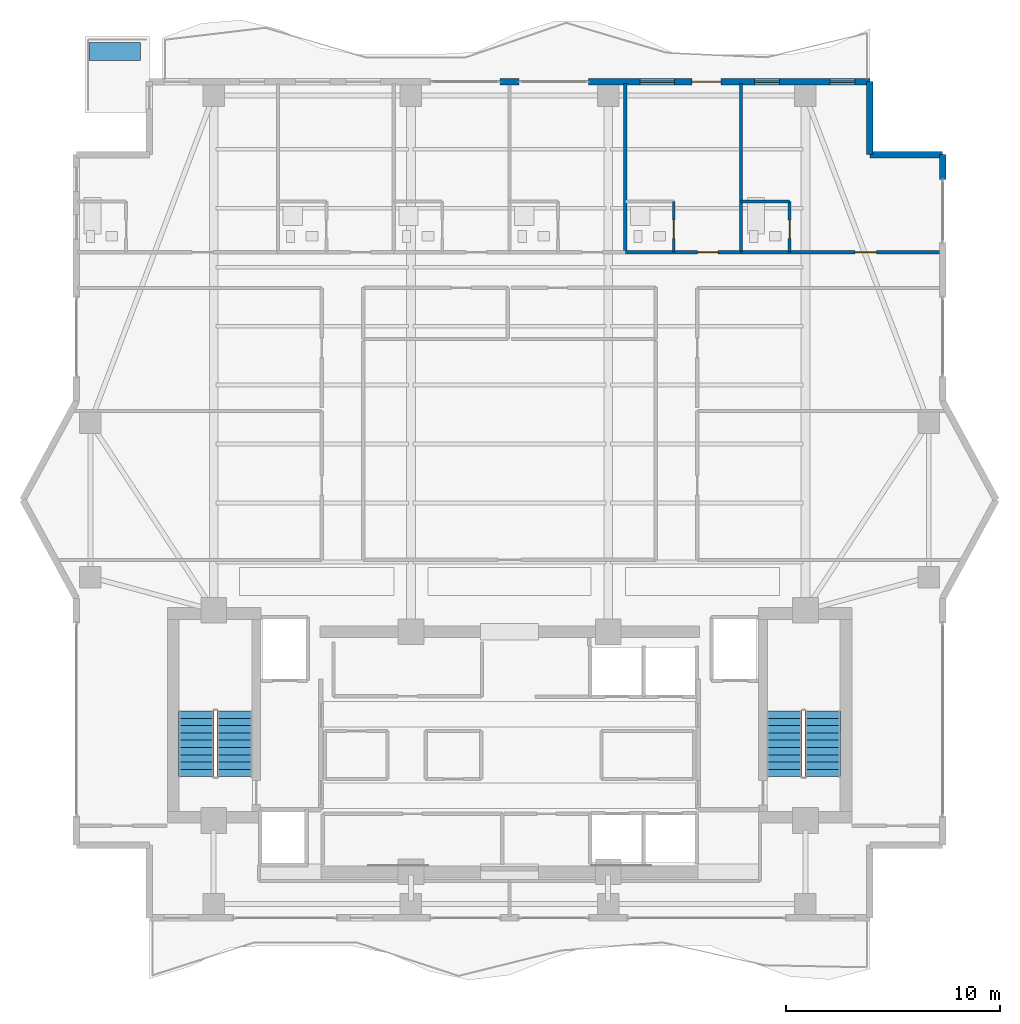
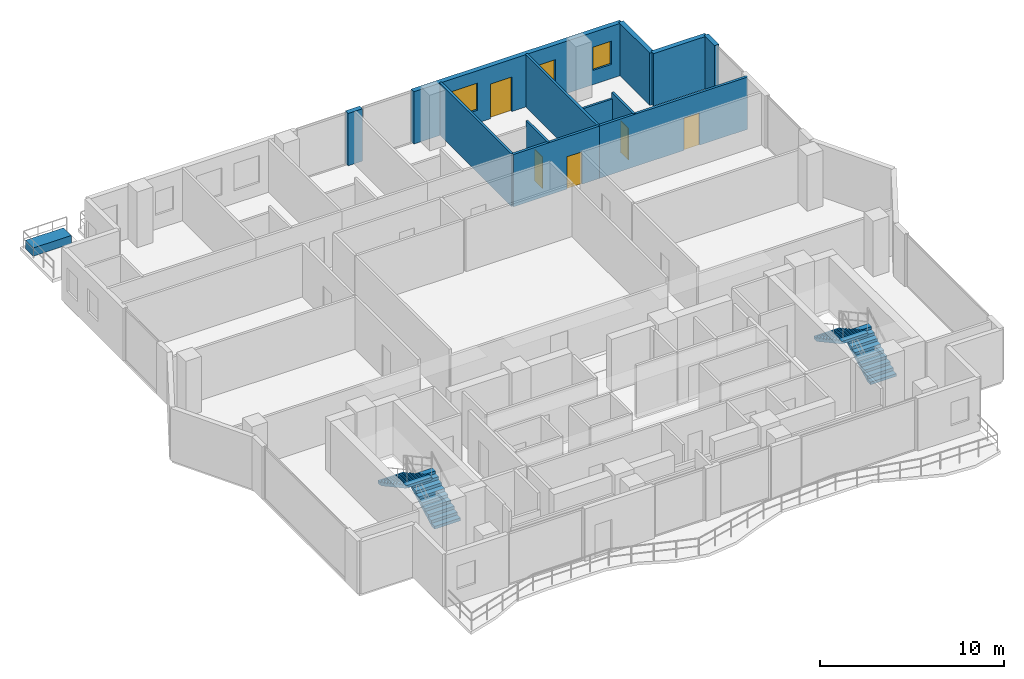
# One storey, part 20 of 23: 12 walls, 5 doors, 4 stair flights, 3 windows, 1 building element part, 8 openings, 2 elements without a shape of their own.
"""IFC4 building model written with IfcOpenShell, lengths in metres."""

from ifc_helpers import new_model, si_unit, direction, frame, frame_2d, origin, origin_2d, place, context, subcontext, project, spatial, polyline, rectangle, outline, extrude, material, layer, layer_set, type_object, element, fill, aggregate, save


model = new_model("IFC4")

# Units and contexts
model_context = context("Model", 3, precision=1e-05, world=origin(), true_north=direction((0.0, 1.0)))
body_context = subcontext(model_context, "Body", "Model", "MODEL_VIEW")
ifc_project = project(units=[si_unit("LENGTHUNIT", "METRE"), si_unit("AREAUNIT", "SQUARE_METRE"), si_unit("VOLUMEUNIT", "CUBIC_METRE"), si_unit("PLANEANGLEUNIT", "RADIAN"), si_unit("MASSUNIT", "GRAM", prefix="KILO")], contexts=[model_context])

# Site, building, storey
site_placement = place(None, origin())
site = spatial("IfcSite", under=ifc_project, at=site_placement, CompositionType="ELEMENT")
building_placement = place(site_placement, origin())
building = spatial("IfcBuilding", under=site, at=building_placement, Name="Zuhayl Quay Hotel", CompositionType="ELEMENT")
storey_placement = place(building_placement, frame((0.0, 0.0, 272.949951171875)))
storey = spatial("IfcBuildingStorey", under=building, at=storey_placement, Name="L69", CompositionType="ELEMENT", Elevation=272.949951171875)

# Wall
ifc_material_1 = material(Name="Precast concrete C45/55", Category="concrete")
ifc_layer_1 = layer(ifc_material_1, 0.300048828125, Name="Precast concrete C45/55", Category="concrete")
ifc_layer_set_1 = layer_set([ifc_layer_1], Name="Precast concrete C45/55")
wall_type_1 = type_object("IfcWallType", Name="WL_EXT_300", PredefinedType="STANDARD", material=ifc_layer_set_1)
wall_1_placement = place(storey_placement, frame((-0.449951171875, 39.0, 0.0), z_axis=(0.0, 0.0, 1.0), x_axis=(1.0, 0.0, 0.0)))
element("IfcWall", 1, at=wall_1_placement, inside=storey, type_object=wall_type_1, Name="L69 Exterior Precast Wall ENV_L69_N_EW2", PredefinedType="STANDARD", context=body_context, shape_type="SweptSolid", body=[
    extrude(rectangle(XDim=0.89990234375, YDim=0.300048828125, at=frame_2d((0.449951171875, 0.0))), origin(), (0.0, 0.0, 1.0), 3.47998046875),
])

# Wall, openings, door, windows
wall_2_placement = place(storey_placement, frame((3.679931640625, 39.0, 0.0), z_axis=(0.0, 0.0, 1.0), x_axis=(1.0, 0.0, 0.0)))
wall_2 = element("IfcWall", 2, at=wall_2_placement, inside=storey, type_object=wall_type_1, Name="L69 Exterior Precast Wall ENV_L69_N_EW3", PredefinedType="STANDARD", context=body_context, shape_type="SweptSolid", body=[
    extrude(rectangle(XDim=13.1201171875, YDim=0.300048828125, at=frame_2d((6.56005859375, 0.0))), origin(), (0.0, 0.0, 1.0), 3.47998046875),
])
opening_1_placement = place(wall_2_placement, frame((4.824951171875, 0.0, 0.0)))
opening_1 = element("IfcOpeningElement", 3, at=opening_1_placement, cuts=wall_2, Name="Opening DG2", PredefinedType="OPENING", context=body_context, shape_type="SweptSolid", body=[
    extrude(rectangle(XDim=1.35009765625, YDim=2.300048828125, at=frame_2d((0.675048828125, 1.14990234375))), frame((0.0, 0.159912109375, 0.0), z_axis=(0.0, -1.0, 0.0), x_axis=(1.0, 0.0, 0.0)), (0.0, 0.0, 1.0), 0.320068359375),
])
opening_2_placement = place(wall_2_placement, frame((2.407470703125, 0.0, 0.85009765625)))
opening_2 = element("IfcOpeningElement", 4, at=opening_2_placement, cuts=wall_2, Name="Opening W01", PredefinedType="OPENING", context=body_context, shape_type="SweptSolid", body=[
    extrude(rectangle(XDim=1.60009765625, YDim=1.800048828125, at=frame_2d((0.800048828125, 0.89990234375))), frame((0.0, 0.159912109375, 0.0), z_axis=(0.0, -1.0, 0.0), x_axis=(1.0, 0.0, 0.0)), (0.0, 0.0, 1.0), 0.320068359375),
])
opening_3_placement = place(wall_2_placement, frame((7.7548828125, 0.0, 0.949951171875)))
opening_3 = element("IfcOpeningElement", 5, at=opening_3_placement, cuts=wall_2, Name="Opening W01N", PredefinedType="OPENING", context=body_context, shape_type="SweptSolid", body=[
    extrude(rectangle(XDim=1.14990234375, YDim=1.550048828125, at=frame_2d((0.574951171875, 0.77490234375))), frame((0.0, 0.159912109375, 0.0), z_axis=(0.0, -1.0, 0.0), x_axis=(1.0, 0.0, 0.0)), (0.0, 0.0, 1.0), 0.320068359375),
])
opening_4_placement = place(wall_2_placement, frame((11.27490234375, 0.0, 0.949951171875)))
opening_4 = element("IfcOpeningElement", 6, at=opening_4_placement, cuts=wall_2, Name="Opening W01N", PredefinedType="OPENING", context=body_context, shape_type="SweptSolid", body=[
    extrude(rectangle(XDim=1.14990234375, YDim=1.550048828125, at=frame_2d((0.574951171875, 0.77490234375))), frame((0.0, 0.159912109375, 0.0), z_axis=(0.0, -1.0, 0.0), x_axis=(1.0, 0.0, 0.0)), (0.0, 0.0, 1.0), 0.320068359375),
])
ifc_material_2 = material(Name="Anodised Aluminium and Dark Solar Glass", Category="aluminium")
door_type_1 = type_object("IfcDoorType", Name="DR_EXT_TERR_1350", OperationType="NOTDEFINED", PredefinedType="DOOR", material=ifc_material_2)
door_1_placement = place(opening_1_placement, origin())
door_1 = element("IfcDoor", 7, at=door_1_placement, inside=storey, type_object=door_type_1, Name="L69 North Rippling Balcony Door", OperationType="SINGLE_SWING_LEFT", OverallHeight=2.300048828125, OverallWidth=1.35009765625, PredefinedType="DOOR", context=body_context, shape_type="SweptSolid", body=[
    extrude(rectangle(XDim=1.35009765625, YDim=2.300048828125, at=frame_2d((0.675048828125, 1.14990234375))), frame((0.0, 0.02490234375, 0.0), z_axis=(0.0, -1.0, 0.0), x_axis=(1.0, 0.0, 0.0)), (0.0, 0.0, 1.0), 0.050048828125),
])
fill(opening_1, door_1)
ifc_material_3 = material(Name="Dark Ceramic-Fritted Solar Glass", Category="glass")
window_type_1 = type_object("IfcWindowType", Name="WN_NOTCH_1350", PartitioningType="SINGLE_PANEL", PredefinedType="WINDOW", material=ifc_material_3)
window_1_placement = place(opening_3_placement, origin())
window_1 = element("IfcWindow", 8, at=window_1_placement, inside=storey, type_object=window_type_1, Name="L69 Operable Facade Window 3-2", OverallHeight=1.550048828125, OverallWidth=1.14990234375, PartitioningType="SINGLE_PANEL", PredefinedType="WINDOW", context=body_context, shape_type="SweptSolid", body=[
    extrude(rectangle(XDim=1.14990234375, YDim=1.550048828125, at=frame_2d((0.574951171875, 0.77490234375))), frame((0.0, 0.030029296875, 0.0), z_axis=(0.0, -1.0, 0.0), x_axis=(1.0, 0.0, 0.0)), (0.0, 0.0, 1.0), 0.06005859375),
])
fill(opening_3, window_1)
window_2_placement = place(opening_4_placement, origin())
window_2 = element("IfcWindow", 9, at=window_2_placement, inside=storey, type_object=window_type_1, Name="L69 Operable Facade Window 3-3", OverallHeight=1.550048828125, OverallWidth=1.14990234375, PartitioningType="SINGLE_PANEL", PredefinedType="WINDOW", context=body_context, shape_type="SweptSolid", body=[
    extrude(rectangle(XDim=1.14990234375, YDim=1.550048828125, at=frame_2d((0.574951171875, 0.77490234375))), frame((0.0, 0.030029296875, 0.0), z_axis=(0.0, -1.0, 0.0), x_axis=(1.0, 0.0, 0.0)), (0.0, 0.0, 1.0), 0.06005859375),
])
fill(opening_4, window_2)
window_type_2 = type_object("IfcWindowType", Name="WN_OPERABLE_1600", PartitioningType="DOUBLE_PANEL_VERTICAL", PredefinedType="WINDOW", material=ifc_material_3)
window_3_placement = place(opening_2_placement, origin())
window_3 = element("IfcWindow", 10, at=window_3_placement, inside=storey, type_object=window_type_2, Name="L69 Operable Facade Window 3-1", OverallHeight=1.800048828125, OverallWidth=1.60009765625, PartitioningType="SINGLE_PANEL", PredefinedType="WINDOW", context=body_context, shape_type="SweptSolid", body=[
    extrude(rectangle(XDim=1.60009765625, YDim=1.800048828125, at=frame_2d((0.800048828125, 0.89990234375))), frame((0.0, 0.030029296875, 0.0), z_axis=(0.0, -1.0, 0.0), x_axis=(1.0, 0.0, 0.0)), (0.0, 0.0, 1.0), 0.06005859375),
])
fill(opening_2, window_3)

# Walls
for number, where, z_axis, x_axis, name in (
    (11, (16.800048828125, 39.0, 0.0), (0.0, 0.0, 1.0), (0.0, -1.0, 0.0), "L69 Exterior Precast Wall ENV_L69_EW09"),
    (12, (16.800048828125, 35.60009765625, 0.0), (0.0, 0.0, 1.0), (1.0, 0.0, 0.0), "L69 Exterior Precast Wall ENV_L69_EW10"),
):
    element("IfcWall", number, at=place(storey_placement, frame(where, z_axis=z_axis, x_axis=x_axis)), inside=storey, type_object=wall_type_1, Name=name, PredefinedType="STANDARD", context=body_context, shape_type="SweptSolid", body=[
        extrude(rectangle(XDim=3.39990234375, YDim=0.300048828125, at=frame_2d((1.699951171875, 0.0))), origin(), (0.0, 0.0, 1.0), 3.47998046875),
    ])
wall_3_placement = place(storey_placement, frame((20.199951171875, 35.60009765625, 0.0), z_axis=(0.0, 0.0, 1.0), x_axis=(0.0, -1.0, 0.0)))
element("IfcWall", 13, at=wall_3_placement, inside=storey, type_object=wall_type_1, Name="L69 Exterior Precast Wall ENV_L69_E11_EW1", PredefinedType="STANDARD", context=body_context, shape_type="SweptSolid", body=[
    extrude(rectangle(XDim=1.150146484375, YDim=0.300048828125, at=frame_2d((0.5751953125, 0.0))), origin(), (0.0, 0.0, 1.0), 3.47998046875),
])
ifc_material_4 = material(Name="Acoustic Gypsum Partition STC-58")
ifc_layer_2 = layer(ifc_material_4, 0.14990234375, Name="Acoustic Gypsum Partition STC-58")
ifc_layer_set_2 = layer_set([ifc_layer_2], Name="Acoustic Gypsum Partition STC-58")
wall_type_2 = type_object("IfcWallType", Name="WL_PART_150", PredefinedType="PARTITIONING", material=ifc_layer_set_2)
for number, where, z_axis, x_axis, name in (
    (14, (5.39990234375, 31.050048828125, 0.0), (0.0, 0.0, 1.0), (0.0, 1.0, 0.0), "L69 Partition IW_L69_NU04_E"),
    (15, (10.800048828125, 31.050048828125, 0.0), (0.0, 0.0, 1.0), (0.0, 1.0, 0.0), "L69 Partition IW_L69_NU05_E"),
):
    element("IfcWall", number, at=place(storey_placement, frame(where, z_axis=z_axis, x_axis=x_axis)), inside=storey, type_object=wall_type_2, Name=name, PredefinedType="PARTITIONING", context=body_context, shape_type="SweptSolid", body=[
        extrude(rectangle(XDim=7.869873046875, YDim=0.14990234375, at=frame_2d((3.93505859375, 0.0))), origin(), (0.0, 0.0, 1.0), 3.47998046875),
    ])

# Wall, opening, door
ifc_layer_3 = layer(ifc_material_4, 0.159912109375, Name="Acoustic Gypsum Partition STC-58")
ifc_layer_set_3 = layer_set([ifc_layer_3], Name="Acoustic Gypsum Partition STC-58")
wall_type_3 = type_object("IfcWallType", Name="WL_PART_CORR_160", PredefinedType="PARTITIONING", material=ifc_layer_set_3)
wall_4_placement = place(storey_placement, frame((5.39990234375, 31.050048828125, 0.0), z_axis=(0.0, 0.0, 1.0), x_axis=(1.0, 0.0, 0.0)))
wall_4 = element("IfcWall", 16, at=wall_4_placement, inside=storey, type_object=wall_type_3, Name="L69 Partition IW_L69_NU05_COR", PredefinedType="PARTITIONING", context=body_context, shape_type="SweptSolid", body=[
    extrude(rectangle(XDim=5.400146484375, YDim=0.159912109375, at=frame_2d((2.7001953125, 0.0))), origin(), (0.0, 0.0, 1.0), 3.47998046875),
])
opening_5_placement = place(wall_4_placement, frame((3.375, 0.0, 0.0)))
opening_5 = element("IfcOpeningElement", 17, at=opening_5_placement, cuts=wall_4, Name="Opening D03", PredefinedType="OPENING", context=body_context, shape_type="SweptSolid", body=[
    extrude(rectangle(XDim=0.949951171875, YDim=2.14990234375, at=frame_2d((0.47509765625, 1.074951171875))), frame((0.0, 0.08984375, 0.0), z_axis=(0.0, -1.0, 0.0), x_axis=(1.0, 0.0, 0.0)), (0.0, 0.0, 1.0), 0.179931640625),
])
ifc_material_5 = material(Name="Solid Walnut Acoustic Fire Door")
door_type_2 = type_object("IfcDoorType", Name="DR_SUITE_950", OperationType="NOTDEFINED", PredefinedType="DOOR", material=ifc_material_5)
door_2_placement = place(opening_5_placement, origin())
door_2 = element("IfcDoor", 18, at=door_2_placement, inside=storey, type_object=door_type_2, Name="L69 Imperial Gulf Guest Room L69-05 Entrance Door", OperationType="SINGLE_SWING_LEFT", OverallHeight=2.14990234375, OverallWidth=0.949951171875, PredefinedType="DOOR", context=body_context, shape_type="SweptSolid", body=[
    extrude(rectangle(XDim=0.949951171875, YDim=2.14990234375, at=frame_2d((0.47509765625, 1.074951171875))), frame((0.0, 0.02490234375, 0.0), z_axis=(0.0, -1.0, 0.0), x_axis=(1.0, 0.0, 0.0)), (0.0, 0.0, 1.0), 0.050048828125),
])
fill(opening_5, door_2)

wall_5_placement = place(storey_placement, frame((10.800048828125, 31.050048828125, 0.0), z_axis=(0.0, 0.0, 1.0), x_axis=(1.0, 0.0, 0.0)))
wall_5 = element("IfcWall", 19, at=wall_5_placement, inside=storey, type_object=wall_type_3, Name="L69 Partition IW_L69_NU06_COR", PredefinedType="PARTITIONING", context=body_context, shape_type="SweptSolid", body=[
    extrude(rectangle(XDim=9.33984375, YDim=0.159912109375, at=frame_2d((4.669921875, 0.0))), origin(), (0.0, 0.0, 1.0), 3.47998046875),
])
opening_6_placement = place(wall_5_placement, frame((5.320068359375, 0.0, 0.0)))
opening_6 = element("IfcOpeningElement", 20, at=opening_6_placement, cuts=wall_5, Name="Opening D03L", PredefinedType="OPENING", context=body_context, shape_type="SweptSolid", body=[
    extrude(rectangle(XDim=1.0, YDim=2.14990234375, at=frame_2d((0.5, 1.074951171875))), frame((0.0, 0.08984375, 0.0), z_axis=(0.0, -1.0, 0.0), x_axis=(1.0, 0.0, 0.0)), (0.0, 0.0, 1.0), 0.179931640625),
])
door_type_3 = type_object("IfcDoorType", Name="DR_SUITE_1000", OperationType="NOTDEFINED", PredefinedType="DOOR", material=ifc_material_5)
door_3_placement = place(opening_6_placement, origin())
door_3 = element("IfcDoor", 21, at=door_3_placement, inside=storey, type_object=door_type_3, Name="L69 Imperial Gulf Guest Room L69-06 Entrance Door", OperationType="SINGLE_SWING_LEFT", OverallHeight=2.14990234375, OverallWidth=1.0, PredefinedType="DOOR", context=body_context, shape_type="SweptSolid", body=[
    extrude(rectangle(XDim=1.0, YDim=2.14990234375, at=frame_2d((0.5, 1.074951171875))), frame((0.0, 0.02490234375, 0.0), z_axis=(0.0, -1.0, 0.0), x_axis=(1.0, 0.0, 0.0)), (0.0, 0.0, 1.0), 0.050048828125),
])
fill(opening_6, door_3)

ifc_material_6 = material(Name="Moisture-Resistant Sanitarychase Gypsum")
ifc_layer_4 = layer(ifc_material_6, 0.135009765625, Name="Moisture-Resistant Sanitarychase Gypsum")
ifc_layer_set_4 = layer_set([ifc_layer_4], Name="Moisture-Resistant Sanitarychase Gypsum")
wall_type_4 = type_object("IfcWallType", Name="WL_PART_PLUMB_150", PredefinedType="PLUMBINGWALL", material=ifc_layer_set_4)
wall_6_placement = place(storey_placement, frame((7.659912109375, 31.050048828125, 0.0), z_axis=(0.0, 0.0, 1.0), x_axis=(0.0, 1.0, 0.0)))
wall_6 = element("IfcWall", 22, at=wall_6_placement, inside=storey, type_object=wall_type_4, Name="L69 Partition IW_L69_NU05_BE", PredefinedType="PLUMBINGWALL", context=body_context, shape_type="SweptSolid", body=[
    extrude(rectangle(XDim=2.35986328125, YDim=0.135009765625, at=frame_2d((1.179931640625, 0.0))), origin(), (0.0, 0.0, 1.0), 3.47998046875),
])
opening_7_placement = place(wall_6_placement, frame((0.64990234375, 0.0, 0.0)))
opening_7 = element("IfcOpeningElement", 23, at=opening_7_placement, cuts=wall_6, Name="Opening D04", PredefinedType="OPENING", context=body_context, shape_type="SweptSolid", body=[
    extrude(rectangle(XDim=0.85009765625, YDim=2.10009765625, at=frame_2d((0.425048828125, 1.050048828125))), frame((0.0, 0.077392578125, 0.0), z_axis=(0.0, -1.0, 0.0), x_axis=(1.0, 0.0, 0.0)), (0.0, 0.0, 1.0), 0.155029296875),
])
ifc_material_7 = material(Name="Moisture-Resistant Walnut Veneer")
door_type_4 = type_object("IfcDoorType", Name="DR_BATH_850", OperationType="NOTDEFINED", PredefinedType="DOOR", material=ifc_material_7)
door_4_placement = place(opening_7_placement, origin())
door_4 = element("IfcDoor", 24, at=door_4_placement, inside=storey, type_object=door_type_4, Name="L69 Imperial Gulf Guest Room L69-05 En-Suite Door", OperationType="SINGLE_SWING_RIGHT", OverallHeight=2.10009765625, OverallWidth=0.85009765625, PredefinedType="DOOR", context=body_context, shape_type="SweptSolid", body=[
    extrude(rectangle(XDim=0.85009765625, YDim=2.10009765625, at=frame_2d((0.425048828125, 1.050048828125))), frame((0.0, 0.02490234375, 0.0), z_axis=(0.0, -1.0, 0.0), x_axis=(1.0, 0.0, 0.0)), (0.0, 0.0, 1.0), 0.050048828125),
])
fill(opening_7, door_4)

wall_7_placement = place(storey_placement, frame((13.06005859375, 31.050048828125, 0.0), z_axis=(0.0, 0.0, 1.0), x_axis=(0.0, 1.0, 0.0)))
wall_7 = element("IfcWall", 25, at=wall_7_placement, inside=storey, type_object=wall_type_4, Name="L69 Partition IW_L69_NU06_BE", PredefinedType="PLUMBINGWALL", context=body_context, shape_type="SweptSolid", body=[
    extrude(rectangle(XDim=2.35986328125, YDim=0.135009765625, at=frame_2d((1.179931640625, 0.0))), origin(), (0.0, 0.0, 1.0), 3.47998046875),
])
opening_8_placement = place(wall_7_placement, frame((0.64990234375, 0.0, 0.0)))
opening_8 = element("IfcOpeningElement", 26, at=opening_8_placement, cuts=wall_7, Name="Opening D04", PredefinedType="OPENING", context=body_context, shape_type="SweptSolid", body=[
    extrude(rectangle(XDim=0.85009765625, YDim=2.10009765625, at=frame_2d((0.425048828125, 1.050048828125))), frame((0.0, 0.077392578125, 0.0), z_axis=(0.0, -1.0, 0.0), x_axis=(1.0, 0.0, 0.0)), (0.0, 0.0, 1.0), 0.155029296875),
])
door_5_placement = place(opening_8_placement, origin())
door_5 = element("IfcDoor", 27, at=door_5_placement, inside=storey, type_object=door_type_4, Name="L69 Imperial Gulf Guest Room L69-06 En-Suite Door", OperationType="SINGLE_SWING_RIGHT", OverallHeight=2.10009765625, OverallWidth=0.85009765625, PredefinedType="DOOR", context=body_context, shape_type="SweptSolid", body=[
    extrude(rectangle(XDim=0.85009765625, YDim=2.10009765625, at=frame_2d((0.425048828125, 1.050048828125))), frame((0.0, 0.02490234375, 0.0), z_axis=(0.0, -1.0, 0.0), x_axis=(1.0, 0.0, 0.0)), (0.0, 0.0, 1.0), 0.050048828125),
])
fill(opening_8, door_5)

# Wall
wall_8_placement = place(storey_placement, frame((10.800048828125, 33.409912109375, 0.0), z_axis=(0.0, 0.0, 1.0), x_axis=(1.0, 0.0, 0.0)))
element("IfcWall", 28, at=wall_8_placement, inside=storey, type_object=wall_type_4, Name="L69 Partition IW_L69_NU06_BN", PredefinedType="PLUMBINGWALL", context=body_context, shape_type="SweptSolid", body=[
    extrude(rectangle(XDim=2.260009765625, YDim=0.135009765625, at=frame_2d((1.1298828125, 0.0))), origin(), (0.0, 0.0, 1.0), 3.075927734375),
])

# Stair, stair flights
ifc_material_8 = material(Name="Concrete C45/55", Category="concrete")
stair_type = type_object("IfcStairType", Name="ST_DOGLEG_TOWER", PredefinedType="HALF_TURN_STAIR", material=ifc_material_8)
stair_1_placement = place(storey_placement, origin())
stair_1 = element("IfcStair", 29, at=stair_1_placement, inside=storey, type_object=stair_type, Name="L69 Smokeproof Exit Stair ST1", PredefinedType="HALF_TURN_STAIR")
ifc_layer_5 = layer(ifc_material_8, 0.159912109375, Name="Concrete C45/55", Category="concrete")
ifc_layer_set_5 = layer_set([ifc_layer_5], Name="Concrete C45/55")
stair_flight_type = type_object("IfcStairFlightType", Name="SF_CONC_164", PredefinedType="STRAIGHT", material=ifc_layer_set_5)
stair_flight_1_placement = place(storey_placement, frame((-12.820068359375, 6.590087890625, 0.0), z_axis=(0.0, 0.0, 1.0), x_axis=(0.0, 1.0, 0.0)))
stair_flight_1 = element("IfcStairFlight", 30, at=stair_flight_1_placement, type_object=stair_flight_type, Name="ST1 flight 1", NumberOfRisers=10, NumberOfTreads=9, PredefinedType="STRAIGHT", RiserHeight=0.185, TreadLength=0.34, context=body_context, shape_type="SweptSolid", body=[
    extrude(outline(polyline([(0.0, 0.0), (0.0, 0.18505859375), (0.340087890625, 0.18505859375), (0.340087890625, 0.3701171875), (0.679931640625, 0.3701171875), (0.679931640625, 0.554931640625), (1.02001953125, 0.554931640625), (1.02001953125, 0.739990234375), (1.360107421875, 0.739990234375), (1.360107421875, 0.925048828125), (1.699951171875, 0.925048828125), (1.699951171875, 1.110107421875), (2.0400390625, 1.110107421875), (2.0400390625, 1.294921875), (2.3798828125, 1.294921875), (2.3798828125, 1.47998046875), (2.719970703125, 1.47998046875), (2.719970703125, 1.6650390625), (3.06005859375, 1.6650390625), (3.06005859375, 1.85009765625), (3.06005859375, 1.494384765625), (0.313720703125, 0.0), (0.0, 0.0)])), frame((0.0, 0.81982421875, 0.0), z_axis=(0.0, -1.0, 0.0), x_axis=(1.0, 0.0, 0.0)), (0.0, 0.0, 1.0), 1.639892578125),
])
stair_flight_2_placement = place(storey_placement, frame((-14.610107421875, 9.64990234375, 1.85009765625), z_axis=(0.0, 0.0, 1.0), x_axis=(0.0, -1.0, 0.0)))
stair_flight_2 = element("IfcStairFlight", 31, at=stair_flight_2_placement, type_object=stair_flight_type, Name="ST1 flight 2", NumberOfRisers=10, NumberOfTreads=9, PredefinedType="STRAIGHT", RiserHeight=0.185, TreadLength=0.34, context=body_context, shape_type="SweptSolid", body=[
    extrude(outline(polyline([(0.0, 0.0), (0.0, 0.18505859375), (0.340087890625, 0.18505859375), (0.340087890625, 0.3701171875), (0.679931640625, 0.3701171875), (0.679931640625, 0.554931640625), (1.02001953125, 0.554931640625), (1.02001953125, 0.739990234375), (1.360107421875, 0.739990234375), (1.360107421875, 0.925048828125), (1.699951171875, 0.925048828125), (1.699951171875, 1.110107421875), (2.0400390625, 1.110107421875), (2.0400390625, 1.294921875), (2.3798828125, 1.294921875), (2.3798828125, 1.47998046875), (2.719970703125, 1.47998046875), (2.719970703125, 1.6650390625), (3.06005859375, 1.6650390625), (3.06005859375, 1.85009765625), (3.06005859375, 1.494384765625), (0.313720703125, 0.0), (0.0, 0.0)])), frame((0.0, 0.81982421875, 0.0), z_axis=(0.0, -1.0, 0.0), x_axis=(1.0, 0.0, 0.0)), (0.0, 0.0, 1.0), 1.639892578125),
])
aggregate(stair_1, [stair_flight_1, stair_flight_2])

stair_2_placement = place(storey_placement, origin())
stair_2 = element("IfcStair", 32, at=stair_2_placement, inside=storey, type_object=stair_type, Name="L69 Smokeproof Exit Stair ST2", PredefinedType="HALF_TURN_STAIR")
stair_flight_3_placement = place(storey_placement, frame((14.610107421875, 6.590087890625, 0.0), z_axis=(0.0, 0.0, 1.0), x_axis=(0.0, 1.0, 0.0)))
stair_flight_3 = element("IfcStairFlight", 33, at=stair_flight_3_placement, type_object=stair_flight_type, Name="ST2 flight 1", NumberOfRisers=10, NumberOfTreads=9, PredefinedType="STRAIGHT", RiserHeight=0.185, TreadLength=0.34, context=body_context, shape_type="SweptSolid", body=[
    extrude(outline(polyline([(0.0, 0.0), (0.0, 0.18505859375), (0.340087890625, 0.18505859375), (0.340087890625, 0.3701171875), (0.679931640625, 0.3701171875), (0.679931640625, 0.554931640625), (1.02001953125, 0.554931640625), (1.02001953125, 0.739990234375), (1.360107421875, 0.739990234375), (1.360107421875, 0.925048828125), (1.699951171875, 0.925048828125), (1.699951171875, 1.110107421875), (2.0400390625, 1.110107421875), (2.0400390625, 1.294921875), (2.3798828125, 1.294921875), (2.3798828125, 1.47998046875), (2.719970703125, 1.47998046875), (2.719970703125, 1.6650390625), (3.06005859375, 1.6650390625), (3.06005859375, 1.85009765625), (3.06005859375, 1.494384765625), (0.313720703125, 0.0), (0.0, 0.0)])), frame((0.0, 0.81982421875, 0.0), z_axis=(0.0, -1.0, 0.0), x_axis=(1.0, 0.0, 0.0)), (0.0, 0.0, 1.0), 1.639892578125),
])
stair_flight_4_placement = place(storey_placement, frame((12.820068359375, 9.64990234375, 1.85009765625), z_axis=(0.0, 0.0, 1.0), x_axis=(0.0, -1.0, 0.0)))
stair_flight_4 = element("IfcStairFlight", 34, at=stair_flight_4_placement, type_object=stair_flight_type, Name="ST2 flight 2", NumberOfRisers=10, NumberOfTreads=9, PredefinedType="STRAIGHT", RiserHeight=0.185, TreadLength=0.34, context=body_context, shape_type="SweptSolid", body=[
    extrude(outline(polyline([(0.0, 0.0), (0.0, 0.18505859375), (0.340087890625, 0.18505859375), (0.340087890625, 0.3701171875), (0.679931640625, 0.3701171875), (0.679931640625, 0.554931640625), (1.02001953125, 0.554931640625), (1.02001953125, 0.739990234375), (1.360107421875, 0.739990234375), (1.360107421875, 0.925048828125), (1.699951171875, 0.925048828125), (1.699951171875, 1.110107421875), (2.0400390625, 1.110107421875), (2.0400390625, 1.294921875), (2.3798828125, 1.294921875), (2.3798828125, 1.47998046875), (2.719970703125, 1.47998046875), (2.719970703125, 1.6650390625), (3.06005859375, 1.6650390625), (3.06005859375, 1.85009765625), (3.06005859375, 1.494384765625), (0.313720703125, 0.0), (0.0, 0.0)])), frame((0.0, 0.81982421875, 0.0), z_axis=(0.0, -1.0, 0.0), x_axis=(1.0, 0.0, 0.0)), (0.0, 0.0, 1.0), 1.639892578125),
])
aggregate(stair_2, [stair_flight_3, stair_flight_4])

# Building element part
ifc_layer_6 = layer(ifc_material_1, 0.550048828125, Name="Precast concrete C45/55", Category="concrete")
ifc_layer_set_6 = layer_set([ifc_layer_6], Name="Precast concrete C45/55")
building_element_part_type = type_object("IfcBuildingElementPartType", Name="PT_PLANTER_KERB", PredefinedType="PRECASTPANEL", material=ifc_layer_set_6)
building_element_part_placement = place(storey_placement, frame((-18.409912109375, 40.409912109375, 0.0), z_axis=(0.0, 0.0, 1.0), x_axis=(1.0, 0.0, 0.0)))
element("IfcBuildingElementPart", 35, at=building_element_part_placement, inside=storey, type_object=building_element_part_type, Name="L69 Spiral Sky-Terrace Planter Box NW", PredefinedType="PRECASTPANEL", context=body_context, shape_type="SweptSolid", body=[
    extrude(rectangle(XDim=2.39990234375, YDim=0.85009765625, at=origin_2d()), origin(), (0.0, 0.0, 1.0), 0.550048828125),
])

save(model, "model.ifc")
